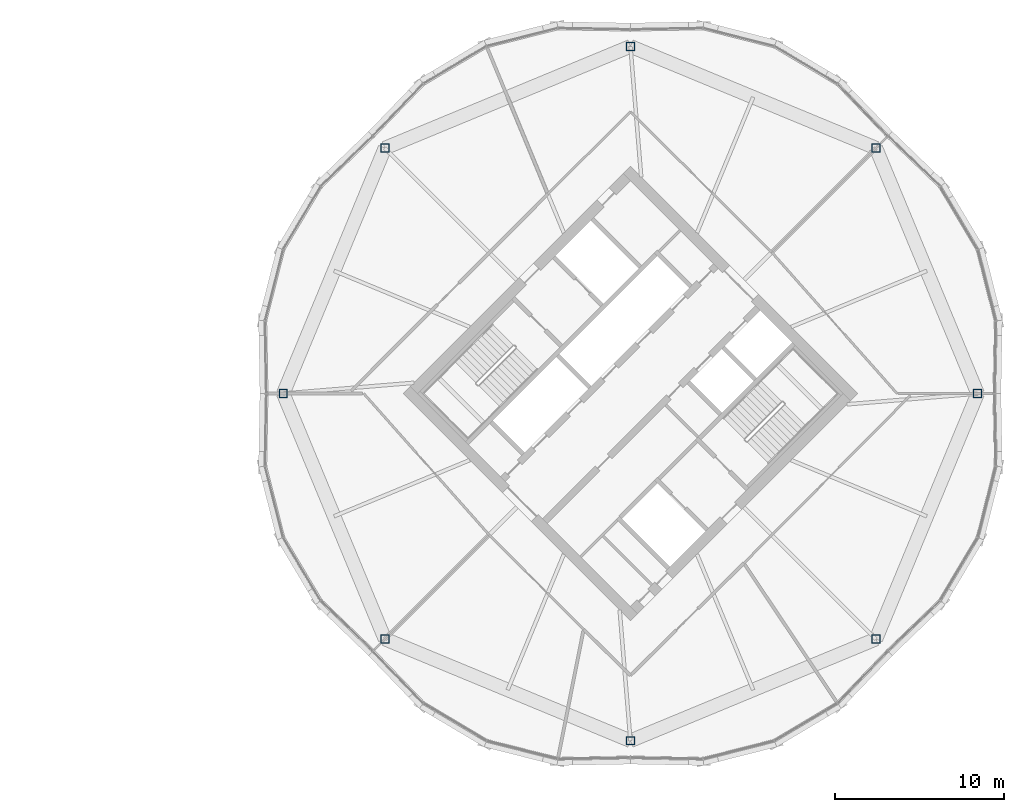
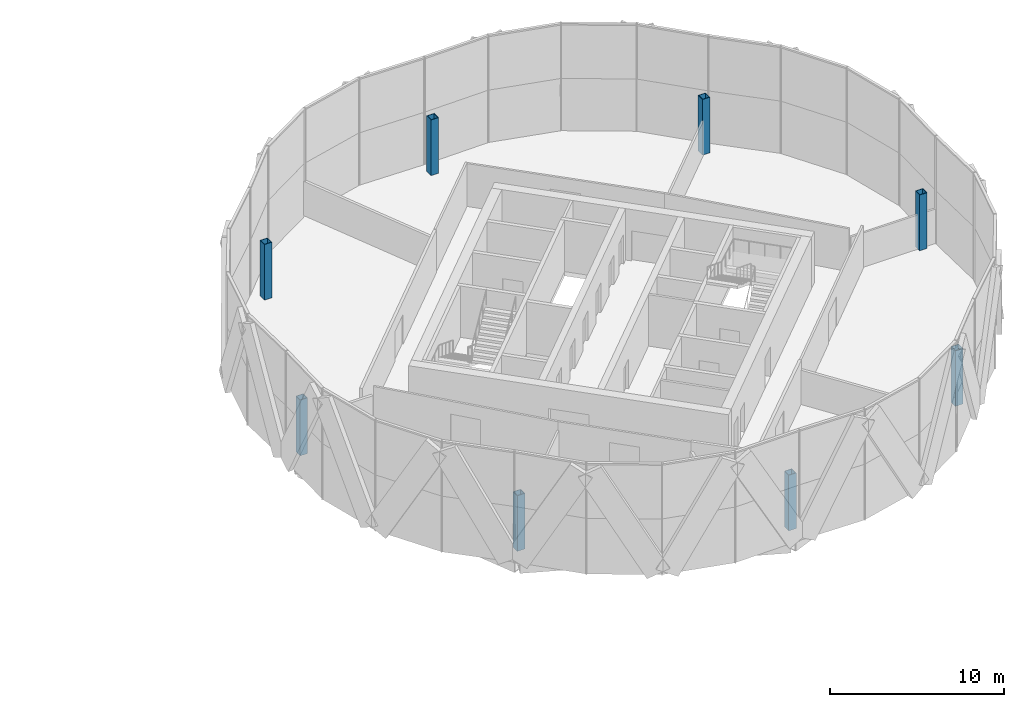
# One storey, part 2 of 27: 8 columns.
"""IFC4 building model written with IfcOpenShell, lengths in metres."""

from ifc_helpers import new_model, si_unit, direction, frame, origin, origin_2d, place, context, subcontext, project, spatial, hollow_rectangle, extrude, material, material_profile, profile_set, type_object, element, save


model = new_model("IFC4")

# Units and contexts
model_context = context("Model", 3, precision=1e-05, world=origin(), true_north=direction((0.0, 1.0)))
body_context = subcontext(model_context, "Body", "Model", "MODEL_VIEW")
ifc_project = project(units=[si_unit("LENGTHUNIT", "METRE"), si_unit("AREAUNIT", "SQUARE_METRE"), si_unit("VOLUMEUNIT", "CUBIC_METRE"), si_unit("PLANEANGLEUNIT", "RADIAN"), si_unit("MASSUNIT", "GRAM", prefix="KILO")], contexts=[model_context])

# Site, building, storey
site_placement = place(None, origin())
site = spatial("IfcSite", under=ifc_project, at=site_placement, CompositionType="ELEMENT")
building_placement = place(site_placement, origin())
building = spatial("IfcBuilding", under=site, at=building_placement, Name="Ogive Gate Towers", CompositionType="ELEMENT")
storey_placement = place(building_placement, frame((0.0, 0.0, 189.0)))
storey = spatial("IfcBuildingStorey", under=building, at=storey_placement, Name="L45", CompositionType="ELEMENT", Elevation=189.0)

# Columns
ifc_material = material(Name="Steel SM460", Category="steel")
ifc_material_profile = material_profile(ifc_material, hollow_rectangle(XDim=0.5, YDim=0.5, WallThickness=0.030029296875, at=origin_2d()), Name="BX 500x500x30")
ifc_profile_set = profile_set([ifc_material_profile], Name="Steel SM460")
column_type = type_object("IfcColumnType", Name="Perimeter post BX 500x500x30", PredefinedType="COLUMN", material=ifc_profile_set)
for number, where, z_axis, x_axis, name in (
    (1, (56.52001953125, 0.0, 0.0), (0.0, 0.0, 1.0), (1.0, 0.0, 0.0), "T2/L45/SCL001"),
    (2, (50.509765625, 14.509765625, 0.0), (0.0, 0.0, 1.0), (1.0, 0.0, 0.0), "T2/L45/SCL002"),
    (3, (36.0, 20.52001953125, 0.0), (0.0, 0.0, 1.0), (1.0, 0.0, 0.0), "T2/L45/SCL003"),
    (4, (21.490234375, 14.509765625, 0.0), (0.0, 0.0, 1.0), (1.0, 0.0, 0.0), "T2/L45/SCL004"),
    (5, (15.47998046875, 0.0, 0.0), (0.0, 0.0, 1.0), (1.0, 0.0, 0.0), "T2/L45/SCL005"),
    (6, (21.490234375, -14.509765625, 0.0), (0.0, 0.0, 1.0), (1.0, 0.0, 0.0), "T2/L45/SCL006"),
    (7, (36.0, -20.52001953125, 0.0), (0.0, 0.0, 1.0), (1.0, 0.0, 0.0), "T2/L45/SCL007"),
    (8, (50.509765625, -14.509765625, 0.0), (0.0, 0.0, 1.0), (1.0, 0.0, 0.0), "T2/L45/SCL008"),
):
    element("IfcColumn", number, at=place(storey_placement, frame(where, z_axis=z_axis, x_axis=x_axis)), inside=storey, type_object=column_type, Name=name, PredefinedType="COLUMN", context=body_context, shape_type="SweptSolid", body=[
        extrude(hollow_rectangle(XDim=0.5, YDim=0.5, WallThickness=0.030029296875, at=origin_2d()), origin(), (0.0, 0.0, 1.0), 3.89990234375),
    ])

save(model, "model.ifc")
